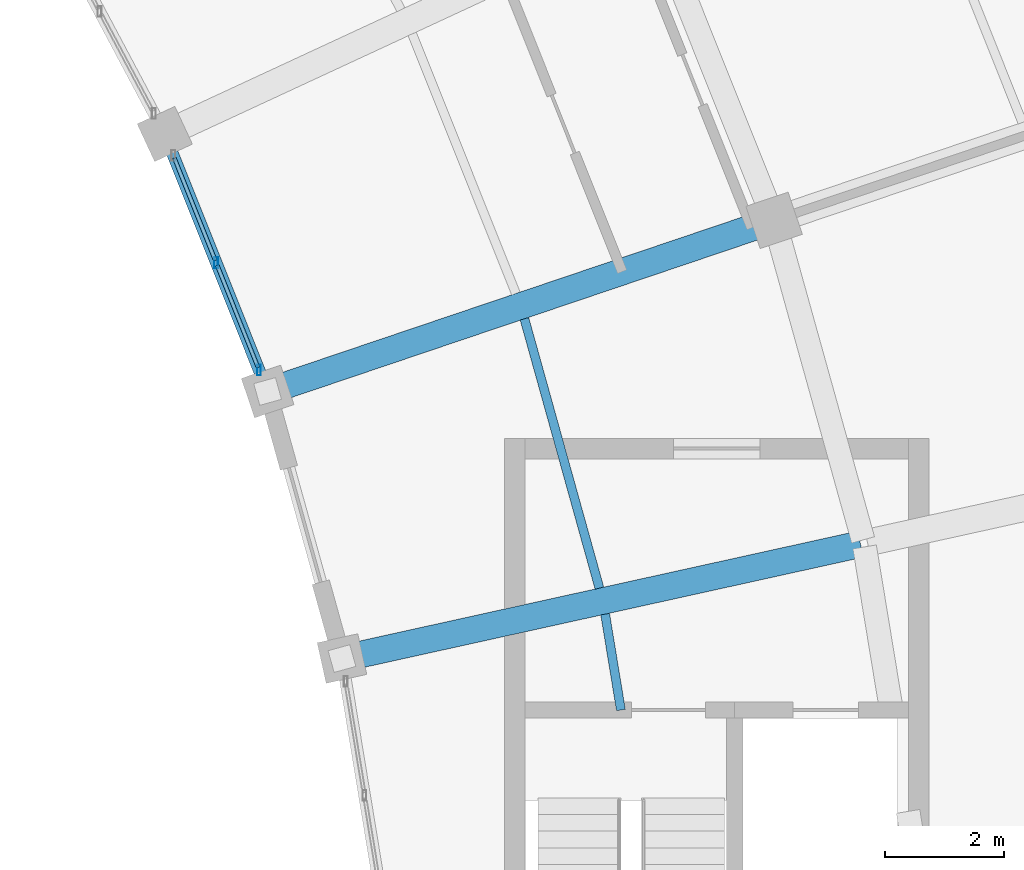
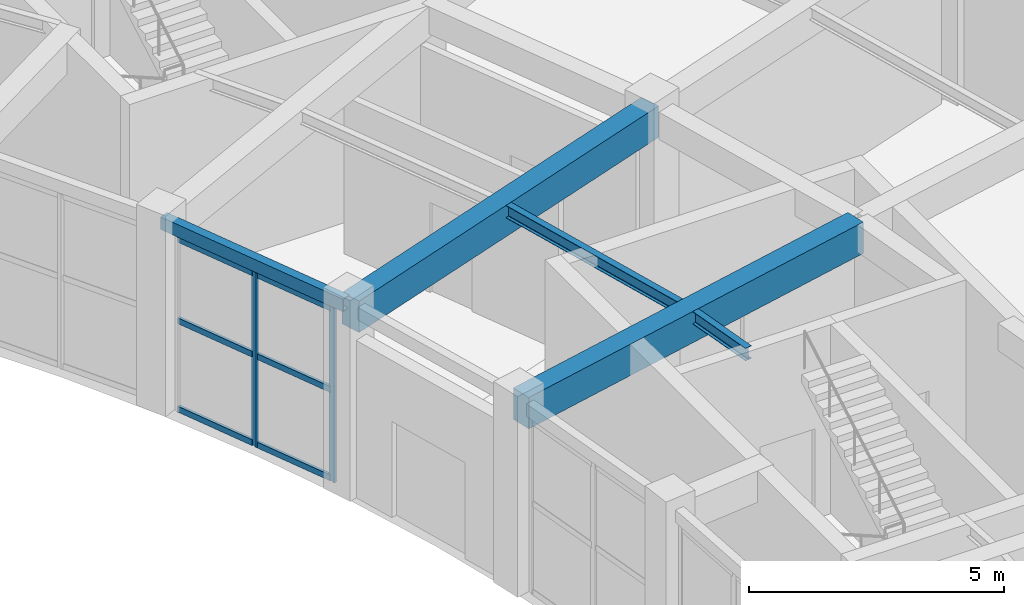
# One storey, part 70 of 108: 8 members, 5 beams, 1 element without a shape of its own.
"""IFC4 building model written with IfcOpenShell, lengths in metres."""

from ifc_helpers import new_model, si_unit, direction, frame, origin, origin_2d, place, context, subcontext, project, spatial, rectangle, hollow_rectangle, i_section, extrude, material, material_profile, profile_set, type_object, element, aggregate, save


model = new_model("IFC4")

# Units and contexts
model_context = context("Model", 3, precision=1e-05, world=origin(), true_north=direction((0.0, 1.0)))
body_context = subcontext(model_context, "Body", "Model", "MODEL_VIEW")
ifc_project = project(units=[si_unit("LENGTHUNIT", "METRE"), si_unit("AREAUNIT", "SQUARE_METRE"), si_unit("VOLUMEUNIT", "CUBIC_METRE"), si_unit("PLANEANGLEUNIT", "RADIAN"), si_unit("MASSUNIT", "GRAM", prefix="KILO")], contexts=[model_context])

# Site, building, storey
site_placement = place(None, origin())
site = spatial("IfcSite", under=ifc_project, at=site_placement, CompositionType="ELEMENT")
building_placement = place(site_placement, origin())
building = spatial("IfcBuilding", under=site, at=building_placement, Name="Tarnveldt Headland Concert Hall", CompositionType="ELEMENT")
storey_placement = place(building_placement, origin())
storey = spatial("IfcBuildingStorey", under=building, at=storey_placement, Name="L00", CompositionType="ELEMENT", Elevation=0.0)

# Beams
ifc_material_1 = material(Name="Concrete C40/50", Category="concrete")
ifc_material_profile_1 = material_profile(ifc_material_1, rectangle(XDim=0.449951171875, YDim=0.75, at=origin_2d()), Name="RC 450x750", Category="concrete")
ifc_profile_set_1 = profile_set([ifc_material_profile_1], Name="Concrete C40/50")
beam_type_1 = type_object("IfcBeamType", Name="CB-450x750", PredefinedType="BEAM", material=ifc_profile_set_1)
beam_1_placement = place(storey_placement, frame((159.54833984375, 69.279052734375, 4.14501953125), z_axis=(0.976505569656, 0.215492163268, 0.0), x_axis=(-0.215492163268, 0.976505569656, 0.0)))
element("IfcBeam", 1, at=beam_1_placement, inside=storey, type_object=beam_type_1, Name="Framing beam L00-502", PredefinedType="BEAM", context=body_context, shape_type="SweptSolid", body=[
    extrude(rectangle(XDim=0.449951171875, YDim=0.75, at=origin_2d()), origin(), (0.0, 0.0, 1.0), 8.880126953125),
])
beam_2_placement = place(storey_placement, frame((158.294921875, 73.781982421875, 4.14501953125), z_axis=(0.947399878297, 0.320052293545, 0.0), x_axis=(-0.320052293545, 0.947399878297, 0.0)))
element("IfcBeam", 2, at=beam_2_placement, inside=storey, type_object=beam_type_1, Name="Framing beam L00-509", PredefinedType="BEAM", context=body_context, shape_type="SweptSolid", body=[
    extrude(rectangle(XDim=0.449951171875, YDim=0.75, at=origin_2d()), origin(), (0.0, 0.0, 1.0), 8.8798828125),
])

# Curtain wall, members
ifc_material_2 = material(Name="Marine-anodised aluminium EN AW-6063-T6", Category="aluminium")
curtain_wall_type = type_object("IfcCurtainWallType", Name="CW-C1", PredefinedType="NOTDEFINED", material=ifc_material_2)
curtain_wall_placement = place(storey_placement, origin())
curtain_wall = element("IfcCurtainWall", 3, at=curtain_wall_placement, inside=storey, type_object=curtain_wall_type, Name="Curtain wall CW-L00-104", PredefinedType="NOTDEFINED")
ifc_material_profile_2 = material_profile(ifc_material_2, hollow_rectangle(XDim=0.06494140625, YDim=0.179931640625, WallThickness=0.00390625, at=origin_2d()), Name="ALU MULLION 65x180x4", Category="aluminium")
ifc_profile_set_2 = profile_set([ifc_material_profile_2], Name="Marine-anodised aluminium EN AW-6063-T6")
member_type_1 = type_object("IfcMemberType", Name="ML-180", PredefinedType="MULLION", material=ifc_profile_set_2)
member_1_placement = place(storey_placement, frame((158.093505859375, 74.125, 0.0), z_axis=(0.0, 0.0, 1.0), x_axis=(1.0, 0.0, 0.0)))
member_1 = element("IfcMember", 4, at=member_1_placement, type_object=member_type_1, Name="Mullion CW-L00-104-1", PredefinedType="MULLION", context=body_context, shape_type="SweptSolid", body=[
    extrude(hollow_rectangle(XDim=0.06494140625, YDim=0.179931640625, WallThickness=0.00390625, at=origin_2d()), origin(), (0.0, 0.0, 1.0), 4.159912109375),
])
member_2_placement = place(storey_placement, frame((157.372314453125, 75.929931640625, 0.0), z_axis=(0.0, 0.0, 1.0), x_axis=(1.0, 0.0, 0.0)))
member_2 = element("IfcMember", 5, at=member_2_placement, type_object=member_type_1, Name="Mullion CW-L00-104-2", PredefinedType="MULLION", context=body_context, shape_type="SweptSolid", body=[
    extrude(hollow_rectangle(XDim=0.06494140625, YDim=0.179931640625, WallThickness=0.00390625, at=origin_2d()), origin(), (0.0, 0.0, 1.0), 4.159912109375),
])

# Beams
ifc_material_3 = material(Name="Steel S355", Category="steel")
ifc_material_profile_3 = material_profile(ifc_material_3, i_section(OverallWidth=0.14990234375, OverallDepth=0.300048828125, WebThickness=0.007080078125, FlangeThickness=0.0107421875, FilletRadius=0.014892578125, at=origin_2d()), Name="IPE300", Category="steel")
ifc_profile_set_3 = profile_set([ifc_material_profile_3], Name="Steel S355")
beam_type_2 = type_object("IfcBeamType", Name="SB-IPE300", PredefinedType="JOIST", material=ifc_profile_set_3)
beam_3_placement = place(storey_placement, frame((164.185791015625, 68.39990234375, 4.3701171875), z_axis=(-0.162244426252, 0.986750599772, 0.0), x_axis=(-0.986750599772, -0.162244426252, 0.0)))
element("IfcBeam", 6, at=beam_3_placement, inside=storey, type_object=beam_type_2, Name="Framing beam L00-500", PredefinedType="JOIST", context=body_context, shape_type="SweptSolid", body=[
    extrude(i_section(OverallWidth=0.14990234375, OverallDepth=0.300048828125, WebThickness=0.007080078125, FlangeThickness=0.0107421875, FilletRadius=0.014892578125, at=origin_2d()), origin(), (0.0, 0.0, 1.0), 1.6357421875),
])
beam_4_placement = place(storey_placement, frame((163.82373046875, 70.45263671875, 4.3701171875), z_axis=(-0.268219103266, 0.96335793589, 0.0), x_axis=(-0.96335793589, -0.268219103266, 0.0)))
element("IfcBeam", 7, at=beam_4_placement, inside=storey, type_object=beam_type_2, Name="Framing beam L00-507", PredefinedType="JOIST", context=body_context, shape_type="SweptSolid", body=[
    extrude(i_section(OverallWidth=0.14990234375, OverallDepth=0.300048828125, WebThickness=0.007080078125, FlangeThickness=0.0107421875, FilletRadius=0.014892578125, at=origin_2d()), origin(), (0.0, 0.0, 1.0), 4.705810546875),
])
ifc_material_profile_4 = material_profile(ifc_material_3, hollow_rectangle(XDim=0.199951171875, YDim=0.300048828125, WallThickness=0.012451171875, at=origin_2d()), Name="RHS 300x200x12.5", Category="steel")
ifc_profile_set_4 = profile_set([ifc_material_profile_4], Name="Steel S355")
beam_type_3 = type_object("IfcBeamType", Name="SB-RHS300", PredefinedType="SPANDREL", material=ifc_profile_set_4)
beam_5_placement = place(storey_placement, frame((158.2158203125, 73.818359375, 4.3701171875), z_axis=(-0.370983353144, 0.928639516546, 0.0), x_axis=(-0.928639516546, -0.370983353144, 0.0)))
element("IfcBeam", 8, at=beam_5_placement, inside=storey, type_object=beam_type_3, Name="Framing beam L00-511", PredefinedType="SPANDREL", context=body_context, shape_type="SweptSolid", body=[
    extrude(hollow_rectangle(XDim=0.199951171875, YDim=0.300048828125, WallThickness=0.012451171875, at=origin_2d()), origin(), (0.0, 0.0, 1.0), 4.54736328125),
])

# Member
ifc_material_profile_5 = material_profile(ifc_material_2, hollow_rectangle(XDim=0.06494140625, YDim=0.139892578125, WallThickness=0.00390625, at=origin_2d()), Name="ALU TRANSOM 65x140x4", Category="aluminium")
ifc_profile_set_5 = profile_set([ifc_material_profile_5], Name="Marine-anodised aluminium EN AW-6063-T6")
member_type_2 = type_object("IfcMemberType", Name="TR-140", PredefinedType="MEMBER", material=ifc_profile_set_5)
member_3_placement = place(storey_placement, frame((158.076904296875, 74.166259765625, 0.050048828125), z_axis=(-0.370982079825, 0.928640025225, 0.0), x_axis=(-0.928640025225, -0.370982079825, 0.0)))
member_3 = element("IfcMember", 9, at=member_3_placement, type_object=member_type_2, Name="Transom CW-L00-104-1-1", PredefinedType="MEMBER", context=body_context, shape_type="SweptSolid", body=[
    extrude(hollow_rectangle(XDim=0.06494140625, YDim=0.139892578125, WallThickness=0.00390625, at=origin_2d()), origin(), (0.0, 0.0, 1.0), 1.8544921875),
])

member_4_placement = place(storey_placement, frame((158.076904296875, 74.166259765625, 2.1630859375), z_axis=(-0.370982079825, 0.928640025225, 0.0), x_axis=(-0.928640025225, -0.370982079825, 0.0)))
member_4 = element("IfcMember", 10, at=member_4_placement, type_object=member_type_2, Name="Transom CW-L00-104-1-2", PredefinedType="MEMBER", context=body_context, shape_type="SweptSolid", body=[
    extrude(hollow_rectangle(XDim=0.06494140625, YDim=0.139892578125, WallThickness=0.00390625, at=origin_2d()), origin(), (0.0, 0.0, 1.0), 1.8544921875),
])

member_5_placement = place(storey_placement, frame((158.076904296875, 74.166259765625, 4.110107421875), z_axis=(-0.370982079825, 0.928640025225, 0.0), x_axis=(-0.928640025225, -0.370982079825, 0.0)))
member_5 = element("IfcMember", 11, at=member_5_placement, type_object=member_type_2, Name="Transom CW-L00-104-1-3", PredefinedType="MEMBER", context=body_context, shape_type="SweptSolid", body=[
    extrude(hollow_rectangle(XDim=0.06494140625, YDim=0.139892578125, WallThickness=0.00390625, at=origin_2d()), origin(), (0.0, 0.0, 1.0), 1.8544921875),
])

member_6_placement = place(storey_placement, frame((157.355712890625, 75.97119140625, 0.050048828125), z_axis=(-0.371050242491, 0.928612792044, 0.0), x_axis=(-0.928612792044, -0.371050242491, 0.0)))
member_6 = element("IfcMember", 12, at=member_6_placement, type_object=member_type_2, Name="Transom CW-L00-104-2-1", PredefinedType="MEMBER", context=body_context, shape_type="SweptSolid", body=[
    extrude(hollow_rectangle(XDim=0.06494140625, YDim=0.139892578125, WallThickness=0.00390625, at=origin_2d()), origin(), (0.0, 0.0, 1.0), 1.854736328125),
])

member_7_placement = place(storey_placement, frame((157.355712890625, 75.97119140625, 2.1630859375), z_axis=(-0.371050242491, 0.928612792044, 0.0), x_axis=(-0.928612792044, -0.371050242491, 0.0)))
member_7 = element("IfcMember", 13, at=member_7_placement, type_object=member_type_2, Name="Transom CW-L00-104-2-2", PredefinedType="MEMBER", context=body_context, shape_type="SweptSolid", body=[
    extrude(hollow_rectangle(XDim=0.06494140625, YDim=0.139892578125, WallThickness=0.00390625, at=origin_2d()), origin(), (0.0, 0.0, 1.0), 1.854736328125),
])

member_8_placement = place(storey_placement, frame((157.355712890625, 75.97119140625, 4.110107421875), z_axis=(-0.371050242491, 0.928612792044, 0.0), x_axis=(-0.928612792044, -0.371050242491, 0.0)))
member_8 = element("IfcMember", 14, at=member_8_placement, type_object=member_type_2, Name="Transom CW-L00-104-2-3", PredefinedType="MEMBER", context=body_context, shape_type="SweptSolid", body=[
    extrude(hollow_rectangle(XDim=0.06494140625, YDim=0.139892578125, WallThickness=0.00390625, at=origin_2d()), origin(), (0.0, 0.0, 1.0), 1.854736328125),
])

aggregate(curtain_wall, [member_1, member_2, member_3, member_4, member_5, member_6, member_7, member_8])

save(model, "model.ifc")
